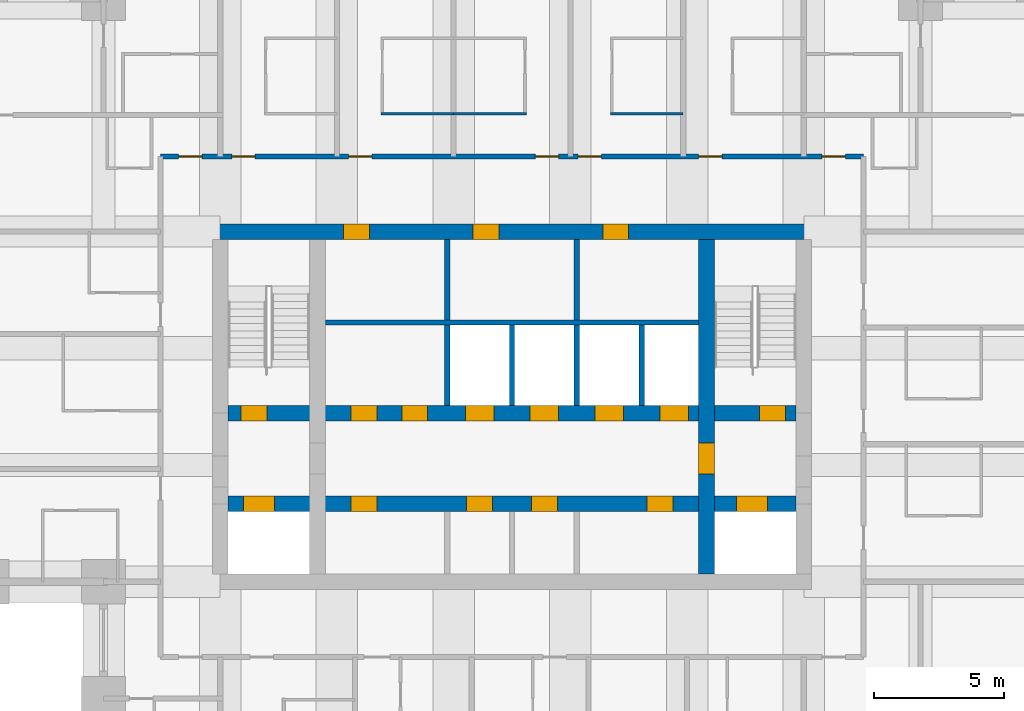
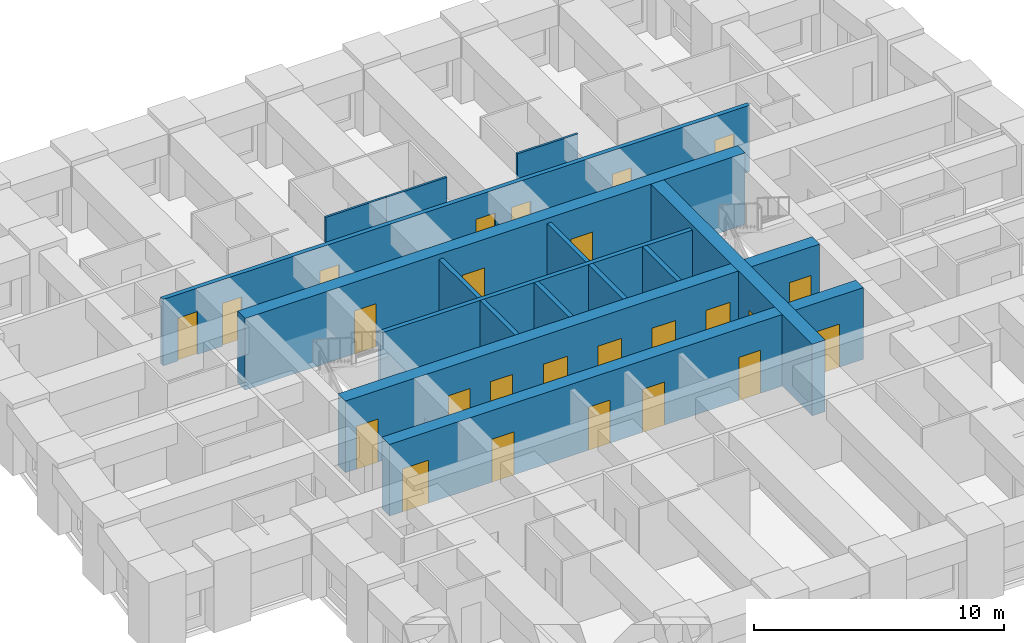
# One storey, part 4 of 8: 25 doors, 15 walls, 25 openings.
"""IFC4 building model written with IfcOpenShell, lengths in metres."""

import ifcopenshell
import ifcopenshell.guid

model = None  # the IFC model being written
_history = None  # IfcOwnerHistory: only IFC2X3 demands one
_inside = {}  # id of a spatial element -> (the spatial element, [elements in it])
_under = {}  # id of a project, library or spatial element -> (it, [spatial elements below it])
_declared = {}  # id of a project -> (the project, [libraries it declares])
_typed = {}  # id of a type object -> (the type object, [elements of that type])
_made_of = {}  # id of a material, layer set ... -> (it, [elements and type objects made of it])


def new_model(schema):
    """Start an empty IFC model of exactly this schema.

    Asked for "IFC4X3", IfcOpenShell would pick the latest addendum, in which some entities
    have other attributes; the version numbers below select the first issue.
    IFC2X3 requires an IfcOwnerHistory on every rooted entity: one is made here for all.
    """
    global model, _history
    if schema == "IFC4X3":
        model = ifcopenshell.file(schema_version=(4, 3, 0, 0))
    else:
        model = ifcopenshell.file(schema=schema)
    _inside.clear()
    _under.clear()
    _declared.clear()
    _typed.clear()
    _made_of.clear()
    _history = None
    if model.schema == "IFC2X3":
        org = make("IfcOrganization", Name="unknown")
        user = make(
            "IfcPersonAndOrganization",
            ThePerson=make("IfcPerson", FamilyName="unknown"),
            TheOrganization=org,
        )
        app = make(
            "IfcApplication",
            ApplicationDeveloper=org,
            Version="unknown",
            ApplicationFullName="unknown",
            ApplicationIdentifier="unknown",
        )
        _history = make(
            "IfcOwnerHistory",
            OwningUser=user,
            OwningApplication=app,
            ChangeAction="ADDED",
            CreationDate=0,
        )
    return model


def make(cls, **values):
    """One entity of the class cls with the attributes given. An attribute that is None is left unset."""
    return model.create_entity(
        cls, **{name: value for name, value in values.items() if value is not None}
    )


def rooted(cls, **values):
    """An entity with a GlobalId (a new one), such as an element, a storey or a relation."""
    return make(cls, GlobalId=ifcopenshell.guid.new(), OwnerHistory=_history, **values)


def si_unit(unit_type, name, prefix=None):
    """IfcSIUnit, for example si_unit("LENGTHUNIT", "METRE", prefix="MILLI")."""
    return make("IfcSIUnit", UnitType=unit_type, Prefix=prefix, Name=name)


def assignment(units):
    """IfcUnitAssignment: the units of a project."""
    return None if units is None else make("IfcUnitAssignment", Units=units)


def point(xyz):
    """IfcCartesianPoint."""
    return None if xyz is None else make("IfcCartesianPoint", Coordinates=xyz)


def direction(xyz):
    """IfcDirection."""
    return None if xyz is None else make("IfcDirection", DirectionRatios=xyz)


def frame(location, z_axis=None, x_axis=None):
    """IfcAxis2Placement3D, a coordinate frame: its origin and axes. An axis left out is left unset."""
    return make(
        "IfcAxis2Placement3D",
        Location=point(location),
        Axis=direction(z_axis),
        RefDirection=direction(x_axis),
    )


def frame_2d(location, x_axis=None):
    """IfcAxis2Placement2D, a coordinate frame in the plane: its origin and x axis."""
    return make(
        "IfcAxis2Placement2D", Location=point(location), RefDirection=direction(x_axis)
    )


def origin():
    """The frame at (0, 0, 0) with its axes left unset."""
    return frame((0.0, 0.0, 0.0))


def place(relative_to, where):
    """IfcLocalPlacement: puts the frame where relative to a parent placement (None: the world)."""
    return make(
        "IfcLocalPlacement", PlacementRelTo=relative_to, RelativePlacement=where
    )


def context(
    kind, dimensions, precision=None, world=None, true_north=None, identifier=None
):
    """IfcGeometricRepresentationContext, for example the 3D "Model" context."""
    return make(
        "IfcGeometricRepresentationContext",
        ContextIdentifier=identifier,
        ContextType=kind,
        CoordinateSpaceDimension=dimensions,
        Precision=precision,
        WorldCoordinateSystem=world,
        TrueNorth=true_north,
    )


def subcontext(parent, identifier, kind, view, scale=None):
    """IfcGeometricRepresentationSubContext, for example "Body" below "Model"."""
    return make(
        "IfcGeometricRepresentationSubContext",
        ContextIdentifier=identifier,
        ContextType=kind,
        ParentContext=parent,
        TargetScale=scale,
        TargetView=view,
    )


def project(units=None, contexts=None):
    """IfcProject with its units and contexts."""
    return rooted(
        "IfcProject",
        Name="project",
        RepresentationContexts=contexts,
        UnitsInContext=assignment(units),
    )


def spatial(cls, under=None, at=None, **own):
    """A site, building, storey or space (cls), placed at a placement, below another one or the project."""
    s = rooted(cls, ObjectPlacement=at, **own)
    if under is not None:
        _under.setdefault(under.id(), (under, []))[1].append(s)
    return s


def profile(cls, at=None, kind="AREA", **sizes):
    """A parametric profile (cls). Its sizes go by their IFC names, for example OverallWidth=200.0."""
    return make(cls, ProfileType=kind, Position=at, **sizes)


def rectangle(**sizes):
    """IfcRectangleProfileDef."""
    return profile("IfcRectangleProfileDef", **sizes)


def extrude(swept, where, along, depth):
    """IfcExtrudedAreaSolid: the profile swept, set in the frame where, extruded along a direction by depth."""
    return make(
        "IfcExtrudedAreaSolid",
        SweptArea=swept,
        Position=where,
        ExtrudedDirection=direction(along),
        Depth=depth,
    )


def shape(context_of_items, identifier, shape_type, items):
    """IfcShapeRepresentation: the items that make up one representation, for example the "Body"."""
    return make(
        "IfcShapeRepresentation",
        ContextOfItems=context_of_items,
        RepresentationIdentifier=identifier,
        RepresentationType=shape_type,
        Items=items,
    )


def material(Name=None, Category=None):
    """IfcMaterial."""
    return make("IfcMaterial", Name=Name, Category=Category)


def layer(
    of_material, thickness, ventilated=None, Name=None, Category=None, Priority=None
):
    """IfcMaterialLayer: one layer of a wall or slab, of a material (None: an air gap)."""
    return make(
        "IfcMaterialLayer",
        Material=of_material,
        LayerThickness=thickness,
        IsVentilated=ventilated,
        Name=Name,
        Category=Category,
        Priority=Priority,
    )


def layer_set(layers, Name=None):
    """IfcMaterialLayerSet."""
    return make("IfcMaterialLayerSet", MaterialLayers=layers, LayerSetName=Name)


def made_of(thing, what):
    """Note that an element or type object is made of a material, layer set ...; save() writes the relation."""
    if what is not None:
        _made_of.setdefault(what.id(), (what, []))[1].append(thing)
    return thing


def type_object(cls, material=None, **own):
    """A type object (cls), such as IfcWallType, which elements share."""
    return made_of(rooted(cls, **own), material)


def element(
    cls,
    number,
    at=None,
    inside=None,
    cuts=None,
    type_object=None,
    material=None,
    context=None,
    identifier="Body",
    shape_type=None,
    held_by="IfcProductDefinitionShape",
    body=None,
    shapes=None,
    **own,
):
    """One element of the class cls, such as IfcWall. Its Tag is "e" and its number.

    at: its placement. inside: the storey or other place that contains it. cuts: it is an
    opening in that element (IfcRelVoidsElement). A single representation is given by context,
    identifier, shape_type and body (its items); several are given by shapes. held_by: the class
    of the entity that holds the representations. save() writes the other relations.
    """
    e = rooted(cls, Tag="e%d" % number, ObjectPlacement=at, **own)
    if body is not None:
        shapes = [shape(context, identifier, shape_type, body)]
    if shapes is not None:
        e.Representation = make(held_by, Representations=shapes)
    if inside is not None:
        _inside.setdefault(inside.id(), (inside, []))[1].append(e)
    if cuts is not None:
        rooted(
            "IfcRelVoidsElement", RelatingBuildingElement=cuts, RelatedOpeningElement=e
        )
    if type_object is not None:
        _typed.setdefault(type_object.id(), (type_object, []))[1].append(e)
    return made_of(e, material)


def fill(opening, filler):
    """IfcRelFillsElement: the door or window that sits in an opening."""
    return rooted(
        "IfcRelFillsElement",
        RelatingOpeningElement=opening,
        RelatedBuildingElement=filler,
    )


def aggregate(whole, parts):
    """IfcRelAggregates: a whole, such as a stair, and the parts it consists of."""
    return rooted("IfcRelAggregates", RelatingObject=whole, RelatedObjects=parts)


def save(model, path):
    """Write the relations noted so far, then the file.

    IfcRelAggregates (storeys below a building ...), IfcRelContainedInSpatialStructure (elements
    in a storey), IfcRelDefinesByType, IfcRelAssociatesMaterial and IfcRelDeclares: one each for
    every whole, place, type object, material and project.
    """
    for whole, parts in _under.values():
        aggregate(whole, parts)
    for where, things in _inside.values():
        rooted(
            "IfcRelContainedInSpatialStructure",
            RelatedElements=things,
            RelatingStructure=where,
        )
    for kind, things in _typed.values():
        rooted("IfcRelDefinesByType", RelatedObjects=things, RelatingType=kind)
    for what, things in _made_of.values():
        rooted("IfcRelAssociatesMaterial", RelatedObjects=things, RelatingMaterial=what)
    for by, libraries in _declared.values():
        rooted("IfcRelDeclares", RelatingContext=by, RelatedDefinitions=libraries)
    model.write(path)


model = new_model("IFC4")

# Units and contexts
model_context = context("Model", 3, precision=1e-05, world=origin(), true_north=direction((0.0, 1.0)))
body_context = subcontext(model_context, "Body", "Model", "MODEL_VIEW")
ifc_project = project(units=[si_unit("LENGTHUNIT", "METRE"), si_unit("AREAUNIT", "SQUARE_METRE"), si_unit("VOLUMEUNIT", "CUBIC_METRE"), si_unit("PLANEANGLEUNIT", "RADIAN"), si_unit("MASSUNIT", "GRAM", prefix="KILO")], contexts=[model_context])

# Site, building, storey
site_placement = place(None, origin())
site = spatial("IfcSite", under=ifc_project, at=site_placement, CompositionType="ELEMENT")
building_placement = place(site_placement, origin())
building = spatial("IfcBuilding", under=site, at=building_placement, Name="Kilele Tower Hotel", CompositionType="ELEMENT")
storey_placement = place(building_placement, frame((0.0, 0.0, 190.39990234375)))
storey = spatial("IfcBuildingStorey", under=building, at=storey_placement, Name="L49", CompositionType="ELEMENT", Elevation=190.39990234375)

# Walls
ifc_material_1 = material(Name="Moisture-resistant board")
ifc_layer_1 = layer(ifc_material_1, 0.10009765625)
ifc_layer_set_1 = layer_set([ifc_layer_1], Name="Moisture-resistant board")
wall_type_1 = type_object("IfcWallType", Name="Bathroom partition 100", PredefinedType="PLUMBINGWALL", material=ifc_layer_set_1)
for number, where, z_axis, x_axis, name in (
    (1, (19.699951171875, 31.550048828125, 0.0), (0.0, 0.0, 1.0), (1.0, 0.0, 0.0), "Bathroom partition 100 L49"),
    (2, (22.5, 31.550048828125, 0.0), (0.0, 0.0, 1.0), (1.0, 0.0, 0.0), "Bathroom partition 100 L49"),
    (3, (28.550048828125, 31.550048828125, 0.0), (0.0, 0.0, 1.0), (1.0, 0.0, 0.0), "Bathroom partition 100 L49"),
):
    element("IfcWall", number, at=place(storey_placement, frame(where, z_axis=z_axis, x_axis=x_axis)), inside=storey, type_object=wall_type_1, Name=name, PredefinedType="PLUMBINGWALL", context=body_context, shape_type="SweptSolid", body=[
        extrude(rectangle(XDim=2.800048828125, YDim=0.10009765625, at=frame_2d((1.39990234375, 0.0))), origin(), (0.0, 0.0, 1.0), 3.25),
    ])

# Wall, openings, doors
ifc_material_2 = material(Name="Concrete C70/85", Category="concrete")
ifc_layer_2 = layer(ifc_material_2, 0.60009765625)
ifc_layer_set_2 = layer_set([ifc_layer_2], Name="Concrete C70/85")
wall_type_2 = type_object("IfcWallType", Name="Core wall 600 C70/85", PredefinedType="SHEAR", material=ifc_layer_set_2)
wall_1_placement = place(storey_placement, frame((36.300048828125, 27.0, 0.0), z_axis=(0.0, 0.0, 1.0), x_axis=(-1.0, 0.0, 0.0)))
wall_1 = element("IfcWall", 4, at=wall_1_placement, inside=storey, type_object=wall_type_2, Name="Core wall N L49", PredefinedType="SHEAR", context=body_context, shape_type="SweptSolid", body=[
    extrude(rectangle(XDim=23.10009765625, YDim=0.60009765625, at=frame_2d((11.550048828125, 0.0))), origin(), (0.0, 0.0, 1.0), 3.5),
])
opening_1_placement = place(wall_1_placement, frame((17.050048828125, 0.0, 0.0)))
opening_1 = element("IfcOpeningElement", 5, at=opening_1_placement, cuts=wall_1, Name="Opening D6", PredefinedType="OPENING", context=body_context, shape_type="SweptSolid", body=[
    extrude(rectangle(XDim=1.0, YDim=2.10009765625, at=frame_2d((0.5, 1.050048828125))), frame((0.0, 0.31005859375, 0.0), z_axis=(0.0, -1.0, 0.0), x_axis=(1.0, 0.0, 0.0)), (0.0, 0.0, 1.0), 0.6201171875),
])
opening_2_placement = place(wall_1_placement, frame((12.050048828125, 0.0, 0.0)))
opening_2 = element("IfcOpeningElement", 6, at=opening_2_placement, cuts=wall_1, Name="Opening D6", PredefinedType="OPENING", context=body_context, shape_type="SweptSolid", body=[
    extrude(rectangle(XDim=1.0, YDim=2.10009765625, at=frame_2d((0.5, 1.050048828125))), frame((0.0, 0.31005859375, 0.0), z_axis=(0.0, -1.0, 0.0), x_axis=(1.0, 0.0, 0.0)), (0.0, 0.0, 1.0), 0.6201171875),
])
opening_3_placement = place(wall_1_placement, frame((7.050048828125, 0.0, 0.0)))
opening_3 = element("IfcOpeningElement", 7, at=opening_3_placement, cuts=wall_1, Name="Opening D6", PredefinedType="OPENING", context=body_context, shape_type="SweptSolid", body=[
    extrude(rectangle(XDim=1.0, YDim=2.10009765625, at=frame_2d((0.5, 1.050048828125))), frame((0.0, 0.31005859375, 0.0), z_axis=(0.0, -1.0, 0.0), x_axis=(1.0, 0.0, 0.0)), (0.0, 0.0, 1.0), 0.6201171875),
])
ifc_material_3 = material(Name="Timber door leaf in hardwood frame", Category="wood")
door_type_1 = type_object("IfcDoorType", Name="Riser door 1000", OperationType="SINGLE_SWING_LEFT", PredefinedType="DOOR", material=ifc_material_3)
door_1_placement = place(opening_1_placement, origin())
door_1 = element("IfcDoor", 8, at=door_1_placement, inside=storey, type_object=door_type_1, Name="Service riser door L49", OperationType="SINGLE_SWING_RIGHT", OverallHeight=2.10009765625, OverallWidth=1.0, PredefinedType="DOOR", context=body_context, shape_type="SweptSolid", body=[
    extrude(rectangle(XDim=1.0, YDim=2.10009765625, at=frame_2d((0.5, 1.050048828125))), frame((0.0, 0.2998046875, 0.0), z_axis=(0.0, -1.0, 0.0), x_axis=(1.0, 0.0, 0.0)), (0.0, 0.0, 1.0), 0.599609375),
])
fill(opening_1, door_1)
door_2_placement = place(opening_2_placement, origin())
door_2 = element("IfcDoor", 9, at=door_2_placement, inside=storey, type_object=door_type_1, Name="Linen store door L49", OperationType="SINGLE_SWING_RIGHT", OverallHeight=2.10009765625, OverallWidth=1.0, PredefinedType="DOOR", context=body_context, shape_type="SweptSolid", body=[
    extrude(rectangle(XDim=1.0, YDim=2.10009765625, at=frame_2d((0.5, 1.050048828125))), frame((0.0, 0.2998046875, 0.0), z_axis=(0.0, -1.0, 0.0), x_axis=(1.0, 0.0, 0.0)), (0.0, 0.0, 1.0), 0.599609375),
])
fill(opening_2, door_2)
door_3_placement = place(opening_3_placement, origin())
door_3 = element("IfcDoor", 10, at=door_3_placement, inside=storey, type_object=door_type_1, Name="Electrical riser door L49", OperationType="SINGLE_SWING_RIGHT", OverallHeight=2.10009765625, OverallWidth=1.0, PredefinedType="DOOR", context=body_context, shape_type="SweptSolid", body=[
    extrude(rectangle(XDim=1.0, YDim=2.10009765625, at=frame_2d((0.5, 1.050048828125))), frame((0.0, 0.2998046875, 0.0), z_axis=(0.0, -1.0, 0.0), x_axis=(1.0, 0.0, 0.0)), (0.0, 0.0, 1.0), 0.599609375),
])
fill(opening_3, door_3)

# Wall, opening, door
wall_2_placement = place(storey_placement, frame((32.25, 13.800048828125, 0.0), z_axis=(0.0, 0.0, 1.0), x_axis=(0.0, 1.0, 0.0)))
wall_2 = element("IfcWall", 11, at=wall_2_placement, inside=storey, type_object=wall_type_2, Name="Core wall IE L49", PredefinedType="SHEAR", context=body_context, shape_type="SweptSolid", body=[
    extrude(rectangle(XDim=12.89990234375, YDim=0.60009765625, at=frame_2d((6.449951171875, 0.0))), origin(), (0.0, 0.0, 1.0), 3.5),
])
opening_4_placement = place(wall_2_placement, frame((5.050048828125, 0.0, 0.0), z_axis=(0.0, 0.0, 1.0), x_axis=(-1.0, 0.0, 0.0)))
opening_4 = element("IfcOpeningElement", 12, at=opening_4_placement, cuts=wall_2, Name="Opening D4", PredefinedType="OPENING", context=body_context, shape_type="SweptSolid", body=[
    extrude(rectangle(XDim=1.199951171875, YDim=2.10009765625, at=frame_2d((0.60009765625, 1.050048828125))), frame((0.0, 0.31005859375, 0.0), z_axis=(0.0, -1.0, 0.0), x_axis=(1.0, 0.0, 0.0)), (0.0, 0.0, 1.0), 0.6201171875),
])
ifc_material_4 = material(Name="Timber door leaf in hardwood frame", Category="wood")
door_type_2 = type_object("IfcDoorType", Name="Firefighting lobby door 1200", OperationType="SINGLE_SWING_LEFT", PredefinedType="DOOR", material=ifc_material_4)
door_4_placement = place(opening_4_placement, origin())
door_4 = element("IfcDoor", 13, at=door_4_placement, inside=storey, type_object=door_type_2, Name="Lobby door L49", OperationType="SINGLE_SWING_RIGHT", OverallHeight=2.10009765625, OverallWidth=1.199951171875, PredefinedType="DOOR", context=body_context, shape_type="SweptSolid", body=[
    extrude(rectangle(XDim=1.199951171875, YDim=2.10009765625, at=frame_2d((0.60009765625, 1.050048828125))), frame((0.0, 0.2998046875, 0.0), z_axis=(0.0, -1.0, 0.0), x_axis=(1.0, 0.0, 0.0)), (0.0, 0.0, 1.0), 0.599609375),
])
fill(opening_4, door_4)

# Wall, openings, doors
wall_3_placement = place(storey_placement, frame((13.800048828125, 16.5, 0.0), z_axis=(0.0, 0.0, 1.0), x_axis=(1.0, 0.0, 0.0)))
wall_3 = element("IfcWall", 14, at=wall_3_placement, inside=storey, type_object=wall_type_2, Name="Core wall LS L49", PredefinedType="SHEAR", context=body_context, shape_type="SweptSolid", body=[
    extrude(rectangle(XDim=21.89990234375, YDim=0.60009765625, at=frame_2d((10.949951171875, 0.0))), origin(), (0.0, 0.0, 1.0), 3.5),
])
opening_5_placement = place(wall_3_placement, frame((5.75, 0.0, 0.0), z_axis=(0.0, 0.0, 1.0), x_axis=(-1.0, 0.0, 0.0)))
opening_5 = element("IfcOpeningElement", 15, at=opening_5_placement, cuts=wall_3, Name="Opening D11", PredefinedType="OPENING", context=body_context, shape_type="SweptSolid", body=[
    extrude(rectangle(XDim=1.0, YDim=2.10009765625, at=frame_2d((0.5, 1.050048828125))), frame((0.0, 0.31005859375, 0.0), z_axis=(0.0, -1.0, 0.0), x_axis=(1.0, 0.0, 0.0)), (0.0, 0.0, 1.0), 0.6201171875),
])
opening_6_placement = place(wall_3_placement, frame((10.199951171875, 0.0, 0.0), z_axis=(0.0, 0.0, 1.0), x_axis=(-1.0, 0.0, 0.0)))
opening_6 = element("IfcOpeningElement", 16, at=opening_6_placement, cuts=wall_3, Name="Opening D11", PredefinedType="OPENING", context=body_context, shape_type="SweptSolid", body=[
    extrude(rectangle(XDim=1.0, YDim=2.10009765625, at=frame_2d((0.5, 1.050048828125))), frame((0.0, 0.31005859375, 0.0), z_axis=(0.0, -1.0, 0.0), x_axis=(1.0, 0.0, 0.0)), (0.0, 0.0, 1.0), 0.6201171875),
])
opening_7_placement = place(wall_3_placement, frame((12.699951171875, 0.0, 0.0), z_axis=(0.0, 0.0, 1.0), x_axis=(-1.0, 0.0, 0.0)))
opening_7 = element("IfcOpeningElement", 17, at=opening_7_placement, cuts=wall_3, Name="Opening D11", PredefinedType="OPENING", context=body_context, shape_type="SweptSolid", body=[
    extrude(rectangle(XDim=1.0, YDim=2.10009765625, at=frame_2d((0.5, 1.050048828125))), frame((0.0, 0.31005859375, 0.0), z_axis=(0.0, -1.0, 0.0), x_axis=(1.0, 0.0, 0.0)), (0.0, 0.0, 1.0), 0.6201171875),
])
opening_8_placement = place(wall_3_placement, frame((17.14990234375, 0.0, 0.0), z_axis=(0.0, 0.0, 1.0), x_axis=(-1.0, 0.0, 0.0)))
opening_8 = element("IfcOpeningElement", 18, at=opening_8_placement, cuts=wall_3, Name="Opening D11", PredefinedType="OPENING", context=body_context, shape_type="SweptSolid", body=[
    extrude(rectangle(XDim=1.0, YDim=2.10009765625, at=frame_2d((0.5, 1.050048828125))), frame((0.0, 0.31005859375, 0.0), z_axis=(0.0, -1.0, 0.0), x_axis=(1.0, 0.0, 0.0)), (0.0, 0.0, 1.0), 0.6201171875),
])
opening_9_placement = place(wall_3_placement, frame((0.60009765625, 0.0, 0.0)))
opening_9 = element("IfcOpeningElement", 19, at=opening_9_placement, cuts=wall_3, Name="Opening LD2", PredefinedType="OPENING", context=body_context, shape_type="SweptSolid", body=[
    extrude(rectangle(XDim=1.199951171875, YDim=2.10009765625, at=frame_2d((0.60009765625, 1.050048828125))), frame((0.0, 0.31005859375, 0.0), z_axis=(0.0, -1.0, 0.0), x_axis=(1.0, 0.0, 0.0)), (0.0, 0.0, 1.0), 0.6201171875),
])
opening_10_placement = place(wall_3_placement, frame((19.60009765625, 0.0, 0.0)))
opening_10 = element("IfcOpeningElement", 20, at=opening_10_placement, cuts=wall_3, Name="Opening LD2", PredefinedType="OPENING", context=body_context, shape_type="SweptSolid", body=[
    extrude(rectangle(XDim=1.199951171875, YDim=2.10009765625, at=frame_2d((0.60009765625, 1.050048828125))), frame((0.0, 0.31005859375, 0.0), z_axis=(0.0, -1.0, 0.0), x_axis=(1.0, 0.0, 0.0)), (0.0, 0.0, 1.0), 0.6201171875),
])
ifc_material_5 = material(Name="Timber door leaf in hardwood frame", Category="wood")
door_type_3 = type_object("IfcDoorType", Name="Core store door 1000", OperationType="SINGLE_SWING_LEFT", PredefinedType="DOOR", material=ifc_material_5)
door_5_placement = place(opening_5_placement, origin())
door_5 = element("IfcDoor", 21, at=door_5_placement, inside=storey, type_object=door_type_3, Name="Core room door L1 L49", OperationType="SINGLE_SWING_RIGHT", OverallHeight=2.10009765625, OverallWidth=1.0, PredefinedType="DOOR", context=body_context, shape_type="SweptSolid", body=[
    extrude(rectangle(XDim=1.0, YDim=2.10009765625, at=frame_2d((0.5, 1.050048828125))), frame((0.0, 0.2998046875, 0.0), z_axis=(0.0, -1.0, 0.0), x_axis=(1.0, 0.0, 0.0)), (0.0, 0.0, 1.0), 0.599609375),
])
fill(opening_5, door_5)
door_6_placement = place(opening_6_placement, origin())
door_6 = element("IfcDoor", 22, at=door_6_placement, inside=storey, type_object=door_type_3, Name="Core room door L3 L49", OperationType="SINGLE_SWING_RIGHT", OverallHeight=2.10009765625, OverallWidth=1.0, PredefinedType="DOOR", context=body_context, shape_type="SweptSolid", body=[
    extrude(rectangle(XDim=1.0, YDim=2.10009765625, at=frame_2d((0.5, 1.050048828125))), frame((0.0, 0.2998046875, 0.0), z_axis=(0.0, -1.0, 0.0), x_axis=(1.0, 0.0, 0.0)), (0.0, 0.0, 1.0), 0.599609375),
])
fill(opening_6, door_6)
door_7_placement = place(opening_7_placement, origin())
door_7 = element("IfcDoor", 23, at=door_7_placement, inside=storey, type_object=door_type_3, Name="Core room door M1 L49", OperationType="SINGLE_SWING_LEFT", OverallHeight=2.10009765625, OverallWidth=1.0, PredefinedType="DOOR", context=body_context, shape_type="SweptSolid", body=[
    extrude(rectangle(XDim=1.0, YDim=2.10009765625, at=frame_2d((0.5, 1.050048828125))), frame((0.0, 0.2998046875, 0.0), z_axis=(0.0, -1.0, 0.0), x_axis=(1.0, 0.0, 0.0)), (0.0, 0.0, 1.0), 0.599609375),
])
fill(opening_7, door_7)
door_8_placement = place(opening_8_placement, origin())
door_8 = element("IfcDoor", 24, at=door_8_placement, inside=storey, type_object=door_type_3, Name="Core room door M3 L49", OperationType="SINGLE_SWING_LEFT", OverallHeight=2.10009765625, OverallWidth=1.0, PredefinedType="DOOR", context=body_context, shape_type="SweptSolid", body=[
    extrude(rectangle(XDim=1.0, YDim=2.10009765625, at=frame_2d((0.5, 1.050048828125))), frame((0.0, 0.2998046875, 0.0), z_axis=(0.0, -1.0, 0.0), x_axis=(1.0, 0.0, 0.0)), (0.0, 0.0, 1.0), 0.599609375),
])
fill(opening_8, door_8)
ifc_material_6 = material(Name="Steel lift landing door", Category="steel")
door_type_4 = type_object("IfcDoorType", Name="Firefighting lift landing door 1200", OperationType="SLIDING_TO_LEFT", PredefinedType="DOOR", material=ifc_material_6)
door_9_placement = place(opening_9_placement, origin())
door_9 = element("IfcDoor", 25, at=door_9_placement, inside=storey, type_object=door_type_4, Name="Landing door FFW L49", OperationType="SLIDING_TO_LEFT", OverallHeight=2.10009765625, OverallWidth=1.199951171875, PredefinedType="DOOR", context=body_context, shape_type="SweptSolid", body=[
    extrude(rectangle(XDim=1.199951171875, YDim=2.10009765625, at=frame_2d((0.60009765625, 1.050048828125))), frame((0.0, 0.2998046875, 0.0), z_axis=(0.0, -1.0, 0.0), x_axis=(1.0, 0.0, 0.0)), (0.0, 0.0, 1.0), 0.599609375),
])
fill(opening_9, door_9)
door_10_placement = place(opening_10_placement, origin())
door_10 = element("IfcDoor", 26, at=door_10_placement, inside=storey, type_object=door_type_4, Name="Landing door FFE L49", OperationType="SLIDING_TO_LEFT", OverallHeight=2.10009765625, OverallWidth=1.199951171875, PredefinedType="DOOR", context=body_context, shape_type="SweptSolid", body=[
    extrude(rectangle(XDim=1.199951171875, YDim=2.10009765625, at=frame_2d((0.60009765625, 1.050048828125))), frame((0.0, 0.2998046875, 0.0), z_axis=(0.0, -1.0, 0.0), x_axis=(1.0, 0.0, 0.0)), (0.0, 0.0, 1.0), 0.599609375),
])
fill(opening_10, door_10)

wall_4_placement = place(storey_placement, frame((13.800048828125, 20.0, 0.0), z_axis=(0.0, 0.0, 1.0), x_axis=(1.0, 0.0, 0.0)))
wall_4 = element("IfcWall", 27, at=wall_4_placement, inside=storey, type_object=wall_type_2, Name="Core wall LN L49", PredefinedType="SHEAR", context=body_context, shape_type="SweptSolid", body=[
    extrude(rectangle(XDim=21.89990234375, YDim=0.60009765625, at=frame_2d((10.949951171875, 0.0))), origin(), (0.0, 0.0, 1.0), 3.5),
])
opening_11_placement = place(wall_4_placement, frame((0.5, 0.0, 0.0)))
opening_11 = element("IfcOpeningElement", 28, at=opening_11_placement, cuts=wall_4, Name="Opening D5", PredefinedType="OPENING", context=body_context, shape_type="SweptSolid", body=[
    extrude(rectangle(XDim=1.0, YDim=2.10009765625, at=frame_2d((0.5, 1.050048828125))), frame((0.0, 0.31005859375, 0.0), z_axis=(0.0, -1.0, 0.0), x_axis=(1.0, 0.0, 0.0)), (0.0, 0.0, 1.0), 0.6201171875),
])
opening_12_placement = place(wall_4_placement, frame((20.5, 0.0, 0.0)))
opening_12 = element("IfcOpeningElement", 29, at=opening_12_placement, cuts=wall_4, Name="Opening D5", PredefinedType="OPENING", context=body_context, shape_type="SweptSolid", body=[
    extrude(rectangle(XDim=1.0, YDim=2.10009765625, at=frame_2d((0.5, 1.050048828125))), frame((0.0, 0.31005859375, 0.0), z_axis=(0.0, -1.0, 0.0), x_axis=(1.0, 0.0, 0.0)), (0.0, 0.0, 1.0), 0.6201171875),
])
opening_13_placement = place(wall_4_placement, frame((9.14990234375, 0.0, 0.0)))
opening_13 = element("IfcOpeningElement", 30, at=opening_13_placement, cuts=wall_4, Name="Opening LD1", PredefinedType="OPENING", context=body_context, shape_type="SweptSolid", body=[
    extrude(rectangle(XDim=1.10009765625, YDim=2.10009765625, at=frame_2d((0.550048828125, 1.050048828125))), frame((0.0, 0.31005859375, 0.0), z_axis=(0.0, -1.0, 0.0), x_axis=(1.0, 0.0, 0.0)), (0.0, 0.0, 1.0), 0.6201171875),
])
opening_14_placement = place(wall_4_placement, frame((11.64990234375, 0.0, 0.0)))
opening_14 = element("IfcOpeningElement", 31, at=opening_14_placement, cuts=wall_4, Name="Opening LD1", PredefinedType="OPENING", context=body_context, shape_type="SweptSolid", body=[
    extrude(rectangle(XDim=1.10009765625, YDim=2.10009765625, at=frame_2d((0.550048828125, 1.050048828125))), frame((0.0, 0.31005859375, 0.0), z_axis=(0.0, -1.0, 0.0), x_axis=(1.0, 0.0, 0.0)), (0.0, 0.0, 1.0), 0.6201171875),
])
opening_15_placement = place(wall_4_placement, frame((14.14990234375, 0.0, 0.0)))
opening_15 = element("IfcOpeningElement", 32, at=opening_15_placement, cuts=wall_4, Name="Opening LD1", PredefinedType="OPENING", context=body_context, shape_type="SweptSolid", body=[
    extrude(rectangle(XDim=1.10009765625, YDim=2.10009765625, at=frame_2d((0.550048828125, 1.050048828125))), frame((0.0, 0.31005859375, 0.0), z_axis=(0.0, -1.0, 0.0), x_axis=(1.0, 0.0, 0.0)), (0.0, 0.0, 1.0), 0.6201171875),
])
opening_16_placement = place(wall_4_placement, frame((16.64990234375, 0.0, 0.0)))
opening_16 = element("IfcOpeningElement", 33, at=opening_16_placement, cuts=wall_4, Name="Opening LD1", PredefinedType="OPENING", context=body_context, shape_type="SweptSolid", body=[
    extrude(rectangle(XDim=1.10009765625, YDim=2.10009765625, at=frame_2d((0.550048828125, 1.050048828125))), frame((0.0, 0.31005859375, 0.0), z_axis=(0.0, -1.0, 0.0), x_axis=(1.0, 0.0, 0.0)), (0.0, 0.0, 1.0), 0.6201171875),
])
opening_17_placement = place(wall_4_placement, frame((4.75, 0.0, 0.0)))
opening_17 = element("IfcOpeningElement", 34, at=opening_17_placement, cuts=wall_4, Name="Opening D11", PredefinedType="OPENING", context=body_context, shape_type="SweptSolid", body=[
    extrude(rectangle(XDim=1.0, YDim=2.10009765625, at=frame_2d((0.5, 1.050048828125))), frame((0.0, 0.31005859375, 0.0), z_axis=(0.0, -1.0, 0.0), x_axis=(1.0, 0.0, 0.0)), (0.0, 0.0, 1.0), 0.6201171875),
])
opening_18_placement = place(wall_4_placement, frame((6.699951171875, 0.0, 0.0)))
opening_18 = element("IfcOpeningElement", 35, at=opening_18_placement, cuts=wall_4, Name="Opening D11", PredefinedType="OPENING", context=body_context, shape_type="SweptSolid", body=[
    extrude(rectangle(XDim=1.0, YDim=2.10009765625, at=frame_2d((0.5, 1.050048828125))), frame((0.0, 0.31005859375, 0.0), z_axis=(0.0, -1.0, 0.0), x_axis=(1.0, 0.0, 0.0)), (0.0, 0.0, 1.0), 0.6201171875),
])
door_11_placement = place(opening_17_placement, origin())
door_11 = element("IfcDoor", 36, at=door_11_placement, inside=storey, type_object=door_type_3, Name="Core room door S1 L49", OperationType="SINGLE_SWING_LEFT", OverallHeight=2.10009765625, OverallWidth=1.0, PredefinedType="DOOR", context=body_context, shape_type="SweptSolid", body=[
    extrude(rectangle(XDim=1.0, YDim=2.10009765625, at=frame_2d((0.5, 1.050048828125))), frame((0.0, 0.2998046875, 0.0), z_axis=(0.0, -1.0, 0.0), x_axis=(1.0, 0.0, 0.0)), (0.0, 0.0, 1.0), 0.599609375),
])
fill(opening_17, door_11)
door_12_placement = place(opening_18_placement, origin())
door_12 = element("IfcDoor", 37, at=door_12_placement, inside=storey, type_object=door_type_3, Name="Core room door S2 L49", OperationType="SINGLE_SWING_RIGHT", OverallHeight=2.10009765625, OverallWidth=1.0, PredefinedType="DOOR", context=body_context, shape_type="SweptSolid", body=[
    extrude(rectangle(XDim=1.0, YDim=2.10009765625, at=frame_2d((0.5, 1.050048828125))), frame((0.0, 0.2998046875, 0.0), z_axis=(0.0, -1.0, 0.0), x_axis=(1.0, 0.0, 0.0)), (0.0, 0.0, 1.0), 0.599609375),
])
fill(opening_18, door_12)
ifc_material_7 = material(Name="Steel lift landing door", Category="steel")
door_type_5 = type_object("IfcDoorType", Name="Lift landing door 1100", OperationType="SLIDING_TO_LEFT", PredefinedType="DOOR", material=ifc_material_7)
door_13_placement = place(opening_13_placement, origin())
door_13 = element("IfcDoor", 38, at=door_13_placement, inside=storey, type_object=door_type_5, Name="Landing door H1 L49", OperationType="SLIDING_TO_LEFT", OverallHeight=2.10009765625, OverallWidth=1.10009765625, PredefinedType="DOOR", context=body_context, shape_type="SweptSolid", body=[
    extrude(rectangle(XDim=1.10009765625, YDim=2.10009765625, at=frame_2d((0.550048828125, 1.050048828125))), frame((0.0, 0.2998046875, 0.0), z_axis=(0.0, -1.0, 0.0), x_axis=(1.0, 0.0, 0.0)), (0.0, 0.0, 1.0), 0.599609375),
])
fill(opening_13, door_13)
door_14_placement = place(opening_14_placement, origin())
door_14 = element("IfcDoor", 39, at=door_14_placement, inside=storey, type_object=door_type_5, Name="Landing door H2 L49", OperationType="SLIDING_TO_LEFT", OverallHeight=2.10009765625, OverallWidth=1.10009765625, PredefinedType="DOOR", context=body_context, shape_type="SweptSolid", body=[
    extrude(rectangle(XDim=1.10009765625, YDim=2.10009765625, at=frame_2d((0.550048828125, 1.050048828125))), frame((0.0, 0.2998046875, 0.0), z_axis=(0.0, -1.0, 0.0), x_axis=(1.0, 0.0, 0.0)), (0.0, 0.0, 1.0), 0.599609375),
])
fill(opening_14, door_14)
door_15_placement = place(opening_15_placement, origin())
door_15 = element("IfcDoor", 40, at=door_15_placement, inside=storey, type_object=door_type_5, Name="Landing door H3 L49", OperationType="SLIDING_TO_LEFT", OverallHeight=2.10009765625, OverallWidth=1.10009765625, PredefinedType="DOOR", context=body_context, shape_type="SweptSolid", body=[
    extrude(rectangle(XDim=1.10009765625, YDim=2.10009765625, at=frame_2d((0.550048828125, 1.050048828125))), frame((0.0, 0.2998046875, 0.0), z_axis=(0.0, -1.0, 0.0), x_axis=(1.0, 0.0, 0.0)), (0.0, 0.0, 1.0), 0.599609375),
])
fill(opening_15, door_15)
door_16_placement = place(opening_16_placement, origin())
door_16 = element("IfcDoor", 41, at=door_16_placement, inside=storey, type_object=door_type_5, Name="Landing door G1 L49", OperationType="SLIDING_TO_LEFT", OverallHeight=2.10009765625, OverallWidth=1.10009765625, PredefinedType="DOOR", context=body_context, shape_type="SweptSolid", body=[
    extrude(rectangle(XDim=1.10009765625, YDim=2.10009765625, at=frame_2d((0.550048828125, 1.050048828125))), frame((0.0, 0.2998046875, 0.0), z_axis=(0.0, -1.0, 0.0), x_axis=(1.0, 0.0, 0.0)), (0.0, 0.0, 1.0), 0.599609375),
])
fill(opening_16, door_16)
ifc_material_8 = material(Name="Timber door leaf in hardwood frame", Category="wood")
door_type_6 = type_object("IfcDoorType", Name="Stair door 1000", OperationType="SINGLE_SWING_LEFT", PredefinedType="DOOR", material=ifc_material_8)
door_17_placement = place(opening_11_placement, origin())
door_17 = element("IfcDoor", 42, at=door_17_placement, inside=storey, type_object=door_type_6, Name="Stair 1 door L49", OperationType="SINGLE_SWING_LEFT", OverallHeight=2.10009765625, OverallWidth=1.0, PredefinedType="DOOR", context=body_context, shape_type="SweptSolid", body=[
    extrude(rectangle(XDim=1.0, YDim=2.10009765625, at=frame_2d((0.5, 1.050048828125))), frame((0.0, 0.2998046875, 0.0), z_axis=(0.0, -1.0, 0.0), x_axis=(1.0, 0.0, 0.0)), (0.0, 0.0, 1.0), 0.599609375),
])
fill(opening_11, door_17)
door_18_placement = place(opening_12_placement, origin())
door_18 = element("IfcDoor", 43, at=door_18_placement, inside=storey, type_object=door_type_6, Name="Stair 2 door L49", OperationType="SINGLE_SWING_RIGHT", OverallHeight=2.10009765625, OverallWidth=1.0, PredefinedType="DOOR", context=body_context, shape_type="SweptSolid", body=[
    extrude(rectangle(XDim=1.0, YDim=2.10009765625, at=frame_2d((0.5, 1.050048828125))), frame((0.0, 0.2998046875, 0.0), z_axis=(0.0, -1.0, 0.0), x_axis=(1.0, 0.0, 0.0)), (0.0, 0.0, 1.0), 0.599609375),
])
fill(opening_12, door_18)

ifc_material_9 = material(Name="Blockwork, plastered both sides", Category="masonry")
ifc_layer_3 = layer(ifc_material_9, 0.199951171875)
ifc_layer_set_3 = layer_set([ifc_layer_3], Name="Blockwork, plastered both sides")
wall_type_3 = type_object("IfcWallType", Name="Corridor wall 200", PredefinedType="PARTITIONING", material=ifc_layer_set_3)
wall_5_placement = place(storey_placement, frame((11.199951171875, 29.89990234375, 0.0), z_axis=(0.0, 0.0, 1.0), x_axis=(1.0, 0.0, 0.0)))
wall_5 = element("IfcWall", 44, at=wall_5_placement, inside=storey, type_object=wall_type_3, Name="Corridor wall 200 L49", PredefinedType="PARTITIONING", context=body_context, shape_type="SweptSolid", body=[
    extrude(rectangle(XDim=27.10009765625, YDim=0.199951171875, at=frame_2d((13.550048828125, 0.0))), origin(), (0.0, 0.0, 1.0), 3.25),
])
opening_19_placement = place(wall_5_placement, frame((2.75, 0.0, 0.0)))
opening_19 = element("IfcOpeningElement", 45, at=opening_19_placement, cuts=wall_5, Name="Opening D1", PredefinedType="OPENING", context=body_context, shape_type="SweptSolid", body=[
    extrude(rectangle(XDim=0.89990234375, YDim=2.10009765625, at=frame_2d((0.449951171875, 1.050048828125))), frame((0.0, 0.10986328125, 0.0), z_axis=(0.0, -1.0, 0.0), x_axis=(1.0, 0.0, 0.0)), (0.0, 0.0, 1.0), 0.219970703125),
])
opening_20_placement = place(wall_5_placement, frame((7.25, 0.0, 0.0)))
opening_20 = element("IfcOpeningElement", 46, at=opening_20_placement, cuts=wall_5, Name="Opening D1", PredefinedType="OPENING", context=body_context, shape_type="SweptSolid", body=[
    extrude(rectangle(XDim=0.89990234375, YDim=2.10009765625, at=frame_2d((0.449951171875, 1.050048828125))), frame((0.0, 0.10986328125, 0.0), z_axis=(0.0, -1.0, 0.0), x_axis=(1.0, 0.0, 0.0)), (0.0, 0.0, 1.0), 0.219970703125),
])
opening_21_placement = place(wall_5_placement, frame((14.449951171875, 0.0, 0.0)))
opening_21 = element("IfcOpeningElement", 47, at=opening_21_placement, cuts=wall_5, Name="Opening D1", PredefinedType="OPENING", context=body_context, shape_type="SweptSolid", body=[
    extrude(rectangle(XDim=0.89990234375, YDim=2.10009765625, at=frame_2d((0.449951171875, 1.050048828125))), frame((0.0, 0.10986328125, 0.0), z_axis=(0.0, -1.0, 0.0), x_axis=(1.0, 0.0, 0.0)), (0.0, 0.0, 1.0), 0.219970703125),
])
opening_22_placement = place(wall_5_placement, frame((16.10009765625, 0.0, 0.0)))
opening_22 = element("IfcOpeningElement", 48, at=opening_22_placement, cuts=wall_5, Name="Opening D1", PredefinedType="OPENING", context=body_context, shape_type="SweptSolid", body=[
    extrude(rectangle(XDim=0.89990234375, YDim=2.10009765625, at=frame_2d((0.449951171875, 1.050048828125))), frame((0.0, 0.10986328125, 0.0), z_axis=(0.0, -1.0, 0.0), x_axis=(1.0, 0.0, 0.0)), (0.0, 0.0, 1.0), 0.219970703125),
])
opening_23_placement = place(wall_5_placement, frame((20.75, 0.0, 0.0)))
opening_23 = element("IfcOpeningElement", 49, at=opening_23_placement, cuts=wall_5, Name="Opening D1", PredefinedType="OPENING", context=body_context, shape_type="SweptSolid", body=[
    extrude(rectangle(XDim=0.89990234375, YDim=2.10009765625, at=frame_2d((0.449951171875, 1.050048828125))), frame((0.0, 0.10986328125, 0.0), z_axis=(0.0, -1.0, 0.0), x_axis=(1.0, 0.0, 0.0)), (0.0, 0.0, 1.0), 0.219970703125),
])
opening_24_placement = place(wall_5_placement, frame((25.5, 0.0, 0.0)))
opening_24 = element("IfcOpeningElement", 50, at=opening_24_placement, cuts=wall_5, Name="Opening D1", PredefinedType="OPENING", context=body_context, shape_type="SweptSolid", body=[
    extrude(rectangle(XDim=0.89990234375, YDim=2.10009765625, at=frame_2d((0.449951171875, 1.050048828125))), frame((0.0, 0.10986328125, 0.0), z_axis=(0.0, -1.0, 0.0), x_axis=(1.0, 0.0, 0.0)), (0.0, 0.0, 1.0), 0.219970703125),
])
opening_25_placement = place(wall_5_placement, frame((0.699951171875, 0.0, 0.0)))
opening_25 = element("IfcOpeningElement", 51, at=opening_25_placement, cuts=wall_5, Name="Opening D1", PredefinedType="OPENING", context=body_context, shape_type="SweptSolid", body=[
    extrude(rectangle(XDim=0.89990234375, YDim=2.10009765625, at=frame_2d((0.449951171875, 1.050048828125))), frame((0.0, 0.10986328125, 0.0), z_axis=(0.0, -1.0, 0.0), x_axis=(1.0, 0.0, 0.0)), (0.0, 0.0, 1.0), 0.219970703125),
])
ifc_material_10 = material(Name="Timber door leaf in hardwood frame", Category="wood")
door_type_7 = type_object("IfcDoorType", Name="Guest room entrance door 900", OperationType="SINGLE_SWING_LEFT", PredefinedType="DOOR", material=ifc_material_10)
door_19_placement = place(opening_19_placement, origin())
door_19 = element("IfcDoor", 52, at=door_19_placement, inside=storey, type_object=door_type_7, Name="Room entrance 4909", OperationType="SINGLE_SWING_LEFT", OverallHeight=2.10009765625, OverallWidth=0.89990234375, PredefinedType="DOOR", context=body_context, shape_type="SweptSolid", body=[
    extrude(rectangle(XDim=0.89990234375, YDim=2.10009765625, at=frame_2d((0.449951171875, 1.050048828125))), frame((0.0, 0.02490234375, 0.0), z_axis=(0.0, -1.0, 0.0), x_axis=(1.0, 0.0, 0.0)), (0.0, 0.0, 1.0), 0.050048828125),
])
fill(opening_19, door_19)
door_20_placement = place(opening_20_placement, origin())
door_20 = element("IfcDoor", 53, at=door_20_placement, inside=storey, type_object=door_type_7, Name="Room entrance 4910", OperationType="SINGLE_SWING_LEFT", OverallHeight=2.10009765625, OverallWidth=0.89990234375, PredefinedType="DOOR", context=body_context, shape_type="SweptSolid", body=[
    extrude(rectangle(XDim=0.89990234375, YDim=2.10009765625, at=frame_2d((0.449951171875, 1.050048828125))), frame((0.0, 0.02490234375, 0.0), z_axis=(0.0, -1.0, 0.0), x_axis=(1.0, 0.0, 0.0)), (0.0, 0.0, 1.0), 0.050048828125),
])
fill(opening_20, door_20)
door_21_placement = place(opening_21_placement, origin())
door_21 = element("IfcDoor", 54, at=door_21_placement, inside=storey, type_object=door_type_7, Name="Room entrance 4911", OperationType="SINGLE_SWING_RIGHT", OverallHeight=2.10009765625, OverallWidth=0.89990234375, PredefinedType="DOOR", context=body_context, shape_type="SweptSolid", body=[
    extrude(rectangle(XDim=0.89990234375, YDim=2.10009765625, at=frame_2d((0.449951171875, 1.050048828125))), frame((0.0, 0.02490234375, 0.0), z_axis=(0.0, -1.0, 0.0), x_axis=(1.0, 0.0, 0.0)), (0.0, 0.0, 1.0), 0.050048828125),
])
fill(opening_21, door_21)
door_22_placement = place(opening_22_placement, origin())
door_22 = element("IfcDoor", 55, at=door_22_placement, inside=storey, type_object=door_type_7, Name="Room entrance 4912", OperationType="SINGLE_SWING_LEFT", OverallHeight=2.10009765625, OverallWidth=0.89990234375, PredefinedType="DOOR", context=body_context, shape_type="SweptSolid", body=[
    extrude(rectangle(XDim=0.89990234375, YDim=2.10009765625, at=frame_2d((0.449951171875, 1.050048828125))), frame((0.0, 0.02490234375, 0.0), z_axis=(0.0, -1.0, 0.0), x_axis=(1.0, 0.0, 0.0)), (0.0, 0.0, 1.0), 0.050048828125),
])
fill(opening_22, door_22)
door_23_placement = place(opening_23_placement, origin())
door_23 = element("IfcDoor", 56, at=door_23_placement, inside=storey, type_object=door_type_7, Name="Room entrance 4913", OperationType="SINGLE_SWING_LEFT", OverallHeight=2.10009765625, OverallWidth=0.89990234375, PredefinedType="DOOR", context=body_context, shape_type="SweptSolid", body=[
    extrude(rectangle(XDim=0.89990234375, YDim=2.10009765625, at=frame_2d((0.449951171875, 1.050048828125))), frame((0.0, 0.02490234375, 0.0), z_axis=(0.0, -1.0, 0.0), x_axis=(1.0, 0.0, 0.0)), (0.0, 0.0, 1.0), 0.050048828125),
])
fill(opening_23, door_23)
door_24_placement = place(opening_24_placement, origin())
door_24 = element("IfcDoor", 57, at=door_24_placement, inside=storey, type_object=door_type_7, Name="Room entrance 4922", OperationType="SINGLE_SWING_LEFT", OverallHeight=2.10009765625, OverallWidth=0.89990234375, PredefinedType="DOOR", context=body_context, shape_type="SweptSolid", body=[
    extrude(rectangle(XDim=0.89990234375, YDim=2.10009765625, at=frame_2d((0.449951171875, 1.050048828125))), frame((0.0, 0.02490234375, 0.0), z_axis=(0.0, -1.0, 0.0), x_axis=(1.0, 0.0, 0.0)), (0.0, 0.0, 1.0), 0.050048828125),
])
fill(opening_24, door_24)
door_25_placement = place(opening_25_placement, origin())
door_25 = element("IfcDoor", 58, at=door_25_placement, inside=storey, type_object=door_type_7, Name="Room entrance 4925", OperationType="SINGLE_SWING_RIGHT", OverallHeight=2.10009765625, OverallWidth=0.89990234375, PredefinedType="DOOR", context=body_context, shape_type="SweptSolid", body=[
    extrude(rectangle(XDim=0.89990234375, YDim=2.10009765625, at=frame_2d((0.449951171875, 1.050048828125))), frame((0.0, 0.02490234375, 0.0), z_axis=(0.0, -1.0, 0.0), x_axis=(1.0, 0.0, 0.0)), (0.0, 0.0, 1.0), 0.050048828125),
])
fill(opening_25, door_25)

# Walls
ifc_material_11 = material(Name="Blockwork, fire-rated", Category="masonry")
ifc_layer_4 = layer(ifc_material_11, 0.199951171875)
ifc_layer_set_4 = layer_set([ifc_layer_4], Name="Blockwork, fire-rated")
wall_type_4 = type_object("IfcWallType", Name="Shaft wall 200", PredefinedType="PARTITIONING", material=ifc_layer_set_4)
for number, where, z_axis, x_axis, name in (
    (59, (22.25, 20.300048828125, 0.0), (0.0, 0.0, 1.0), (0.0, 1.0, 0.0), "Shaft wall 200 L49"),
    (60, (24.75, 20.300048828125, 0.0), (0.0, 0.0, 1.0), (0.0, 1.0, 0.0), "Shaft wall 200 L49"),
    (61, (27.25, 20.300048828125, 0.0), (0.0, 0.0, 1.0), (0.0, 1.0, 0.0), "Shaft wall 200 L49"),
    (62, (29.75, 20.300048828125, 0.0), (0.0, 0.0, 1.0), (0.0, 1.0, 0.0), "Shaft wall 200 L49"),
):
    element("IfcWall", number, at=place(storey_placement, frame(where, z_axis=z_axis, x_axis=x_axis)), inside=storey, type_object=wall_type_4, Name=name, PredefinedType="PARTITIONING", context=body_context, shape_type="SweptSolid", body=[
        extrude(rectangle(XDim=3.099853515625, YDim=0.199951171875, at=frame_2d((1.5498046875, 0.0))), origin(), (0.0, 0.0, 1.0), 3.25),
    ])
wall_6_placement = place(storey_placement, frame((17.550048828125, 23.5, 0.0), z_axis=(0.0, 0.0, 1.0), x_axis=(1.0, 0.0, 0.0)))
element("IfcWall", 63, at=wall_6_placement, inside=storey, type_object=wall_type_4, Name="Shaft wall 200 L49", PredefinedType="PARTITIONING", context=body_context, shape_type="SweptSolid", body=[
    extrude(rectangle(XDim=14.39990234375, YDim=0.199951171875, at=frame_2d((7.199951171875, 0.0))), origin(), (0.0, 0.0, 1.0), 3.25),
])
for number, where, z_axis, x_axis, name in (
    (64, (22.25, 23.60009765625, 0.0), (0.0, 0.0, 1.0), (0.0, 1.0, 0.0), "Shaft wall 200 L49"),
    (65, (27.25, 23.60009765625, 0.0), (0.0, 0.0, 1.0), (0.0, 1.0, 0.0), "Shaft wall 200 L49"),
):
    element("IfcWall", number, at=place(storey_placement, frame(where, z_axis=z_axis, x_axis=x_axis)), inside=storey, type_object=wall_type_4, Name=name, PredefinedType="PARTITIONING", context=body_context, shape_type="SweptSolid", body=[
        extrude(rectangle(XDim=3.099853515625, YDim=0.199951171875, at=frame_2d((1.5498046875, 0.0))), origin(), (0.0, 0.0, 1.0), 3.25),
    ])

save(model, "model.ifc")
